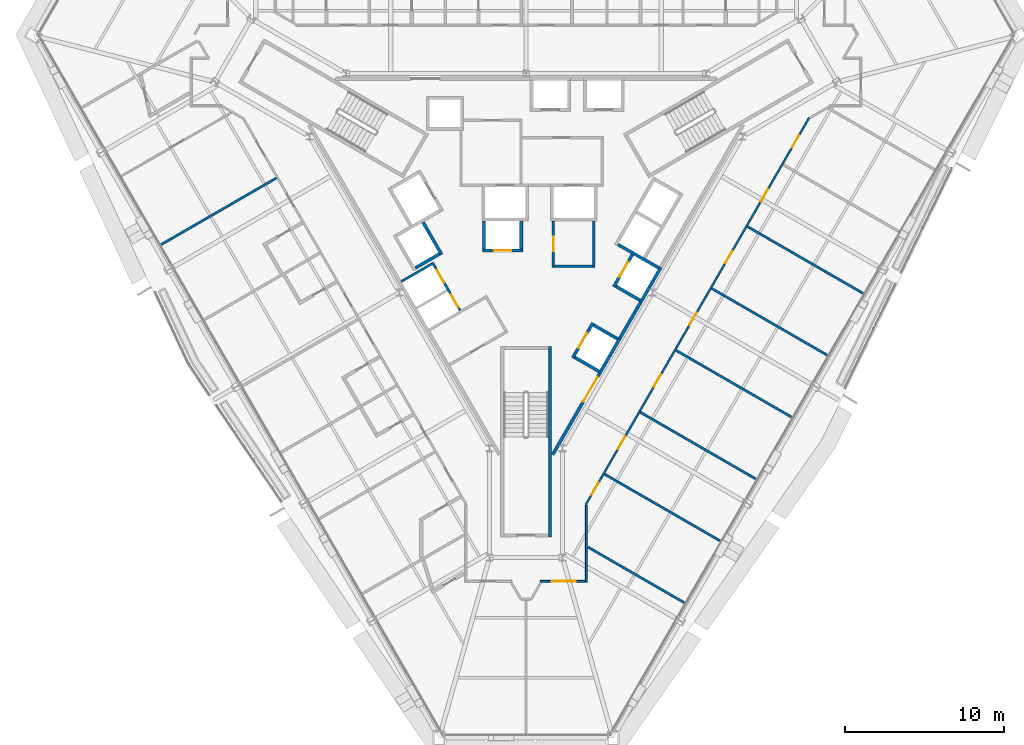
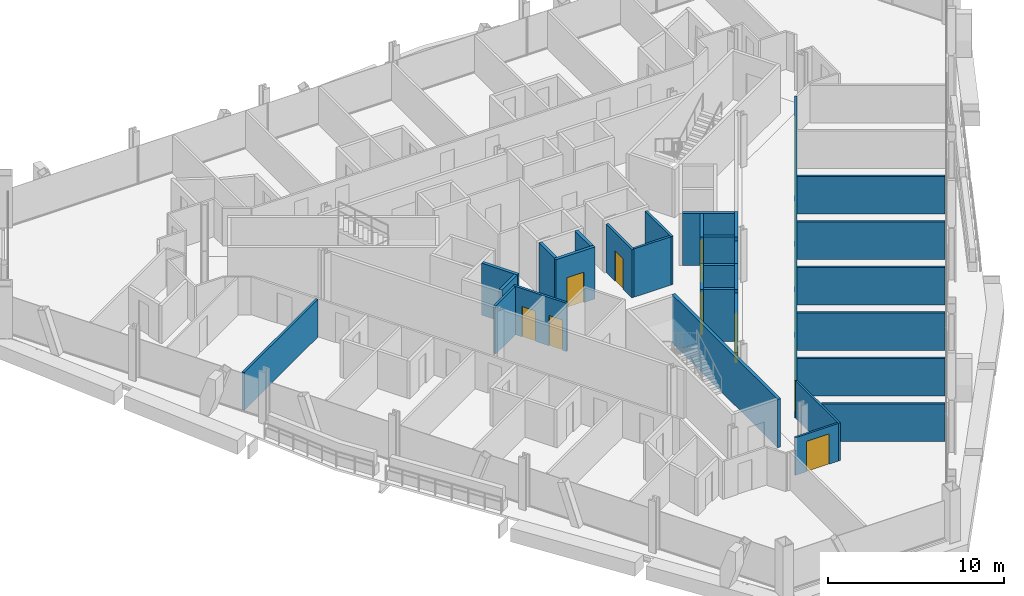
# One storey, part 12 of 17: 31 walls, 15 doors, 15 openings.
"""IFC4 building model written with IfcOpenShell, lengths in metres."""

import ifcopenshell
import ifcopenshell.guid

model = None  # the IFC model being written
_history = None  # IfcOwnerHistory: only IFC2X3 demands one
_inside = {}  # id of a spatial element -> (the spatial element, [elements in it])
_under = {}  # id of a project, library or spatial element -> (it, [spatial elements below it])
_declared = {}  # id of a project -> (the project, [libraries it declares])
_typed = {}  # id of a type object -> (the type object, [elements of that type])
_made_of = {}  # id of a material, layer set ... -> (it, [elements and type objects made of it])


def new_model(schema):
    """Start an empty IFC model of exactly this schema.

    Asked for "IFC4X3", IfcOpenShell would pick the latest addendum, in which some entities
    have other attributes; the version numbers below select the first issue.
    IFC2X3 requires an IfcOwnerHistory on every rooted entity: one is made here for all.
    """
    global model, _history
    if schema == "IFC4X3":
        model = ifcopenshell.file(schema_version=(4, 3, 0, 0))
    else:
        model = ifcopenshell.file(schema=schema)
    _inside.clear()
    _under.clear()
    _declared.clear()
    _typed.clear()
    _made_of.clear()
    _history = None
    if model.schema == "IFC2X3":
        org = make("IfcOrganization", Name="unknown")
        user = make(
            "IfcPersonAndOrganization",
            ThePerson=make("IfcPerson", FamilyName="unknown"),
            TheOrganization=org,
        )
        app = make(
            "IfcApplication",
            ApplicationDeveloper=org,
            Version="unknown",
            ApplicationFullName="unknown",
            ApplicationIdentifier="unknown",
        )
        _history = make(
            "IfcOwnerHistory",
            OwningUser=user,
            OwningApplication=app,
            ChangeAction="ADDED",
            CreationDate=0,
        )
    return model


def make(cls, **values):
    """One entity of the class cls with the attributes given. An attribute that is None is left unset."""
    return model.create_entity(
        cls, **{name: value for name, value in values.items() if value is not None}
    )


def rooted(cls, **values):
    """An entity with a GlobalId (a new one), such as an element, a storey or a relation."""
    return make(cls, GlobalId=ifcopenshell.guid.new(), OwnerHistory=_history, **values)


def si_unit(unit_type, name, prefix=None):
    """IfcSIUnit, for example si_unit("LENGTHUNIT", "METRE", prefix="MILLI")."""
    return make("IfcSIUnit", UnitType=unit_type, Prefix=prefix, Name=name)


def assignment(units):
    """IfcUnitAssignment: the units of a project."""
    return None if units is None else make("IfcUnitAssignment", Units=units)


def point(xyz):
    """IfcCartesianPoint."""
    return None if xyz is None else make("IfcCartesianPoint", Coordinates=xyz)


def direction(xyz):
    """IfcDirection."""
    return None if xyz is None else make("IfcDirection", DirectionRatios=xyz)


def frame(location, z_axis=None, x_axis=None):
    """IfcAxis2Placement3D, a coordinate frame: its origin and axes. An axis left out is left unset."""
    return make(
        "IfcAxis2Placement3D",
        Location=point(location),
        Axis=direction(z_axis),
        RefDirection=direction(x_axis),
    )


def frame_2d(location, x_axis=None):
    """IfcAxis2Placement2D, a coordinate frame in the plane: its origin and x axis."""
    return make(
        "IfcAxis2Placement2D", Location=point(location), RefDirection=direction(x_axis)
    )


def origin():
    """The frame at (0, 0, 0) with its axes left unset."""
    return frame((0.0, 0.0, 0.0))


def place(relative_to, where):
    """IfcLocalPlacement: puts the frame where relative to a parent placement (None: the world)."""
    return make(
        "IfcLocalPlacement", PlacementRelTo=relative_to, RelativePlacement=where
    )


def context(
    kind, dimensions, precision=None, world=None, true_north=None, identifier=None
):
    """IfcGeometricRepresentationContext, for example the 3D "Model" context."""
    return make(
        "IfcGeometricRepresentationContext",
        ContextIdentifier=identifier,
        ContextType=kind,
        CoordinateSpaceDimension=dimensions,
        Precision=precision,
        WorldCoordinateSystem=world,
        TrueNorth=true_north,
    )


def subcontext(parent, identifier, kind, view, scale=None):
    """IfcGeometricRepresentationSubContext, for example "Body" below "Model"."""
    return make(
        "IfcGeometricRepresentationSubContext",
        ContextIdentifier=identifier,
        ContextType=kind,
        ParentContext=parent,
        TargetScale=scale,
        TargetView=view,
    )


def project(units=None, contexts=None):
    """IfcProject with its units and contexts."""
    return rooted(
        "IfcProject",
        Name="project",
        RepresentationContexts=contexts,
        UnitsInContext=assignment(units),
    )


def spatial(cls, under=None, at=None, **own):
    """A site, building, storey or space (cls), placed at a placement, below another one or the project."""
    s = rooted(cls, ObjectPlacement=at, **own)
    if under is not None:
        _under.setdefault(under.id(), (under, []))[1].append(s)
    return s


def profile(cls, at=None, kind="AREA", **sizes):
    """A parametric profile (cls). Its sizes go by their IFC names, for example OverallWidth=200.0."""
    return make(cls, ProfileType=kind, Position=at, **sizes)


def rectangle(**sizes):
    """IfcRectangleProfileDef."""
    return profile("IfcRectangleProfileDef", **sizes)


def extrude(swept, where, along, depth):
    """IfcExtrudedAreaSolid: the profile swept, set in the frame where, extruded along a direction by depth."""
    return make(
        "IfcExtrudedAreaSolid",
        SweptArea=swept,
        Position=where,
        ExtrudedDirection=direction(along),
        Depth=depth,
    )


def shape(context_of_items, identifier, shape_type, items):
    """IfcShapeRepresentation: the items that make up one representation, for example the "Body"."""
    return make(
        "IfcShapeRepresentation",
        ContextOfItems=context_of_items,
        RepresentationIdentifier=identifier,
        RepresentationType=shape_type,
        Items=items,
    )


def material(Name=None, Category=None):
    """IfcMaterial."""
    return make("IfcMaterial", Name=Name, Category=Category)


def layer(
    of_material, thickness, ventilated=None, Name=None, Category=None, Priority=None
):
    """IfcMaterialLayer: one layer of a wall or slab, of a material (None: an air gap)."""
    return make(
        "IfcMaterialLayer",
        Material=of_material,
        LayerThickness=thickness,
        IsVentilated=ventilated,
        Name=Name,
        Category=Category,
        Priority=Priority,
    )


def layer_set(layers, Name=None):
    """IfcMaterialLayerSet."""
    return make("IfcMaterialLayerSet", MaterialLayers=layers, LayerSetName=Name)


def made_of(thing, what):
    """Note that an element or type object is made of a material, layer set ...; save() writes the relation."""
    if what is not None:
        _made_of.setdefault(what.id(), (what, []))[1].append(thing)
    return thing


def type_object(cls, material=None, **own):
    """A type object (cls), such as IfcWallType, which elements share."""
    return made_of(rooted(cls, **own), material)


def element(
    cls,
    number,
    at=None,
    inside=None,
    cuts=None,
    type_object=None,
    material=None,
    context=None,
    identifier="Body",
    shape_type=None,
    held_by="IfcProductDefinitionShape",
    body=None,
    shapes=None,
    **own,
):
    """One element of the class cls, such as IfcWall. Its Tag is "e" and its number.

    at: its placement. inside: the storey or other place that contains it. cuts: it is an
    opening in that element (IfcRelVoidsElement). A single representation is given by context,
    identifier, shape_type and body (its items); several are given by shapes. held_by: the class
    of the entity that holds the representations. save() writes the other relations.
    """
    e = rooted(cls, Tag="e%d" % number, ObjectPlacement=at, **own)
    if body is not None:
        shapes = [shape(context, identifier, shape_type, body)]
    if shapes is not None:
        e.Representation = make(held_by, Representations=shapes)
    if inside is not None:
        _inside.setdefault(inside.id(), (inside, []))[1].append(e)
    if cuts is not None:
        rooted(
            "IfcRelVoidsElement", RelatingBuildingElement=cuts, RelatedOpeningElement=e
        )
    if type_object is not None:
        _typed.setdefault(type_object.id(), (type_object, []))[1].append(e)
    return made_of(e, material)


def fill(opening, filler):
    """IfcRelFillsElement: the door or window that sits in an opening."""
    return rooted(
        "IfcRelFillsElement",
        RelatingOpeningElement=opening,
        RelatedBuildingElement=filler,
    )


def aggregate(whole, parts):
    """IfcRelAggregates: a whole, such as a stair, and the parts it consists of."""
    return rooted("IfcRelAggregates", RelatingObject=whole, RelatedObjects=parts)


def save(model, path):
    """Write the relations noted so far, then the file.

    IfcRelAggregates (storeys below a building ...), IfcRelContainedInSpatialStructure (elements
    in a storey), IfcRelDefinesByType, IfcRelAssociatesMaterial and IfcRelDeclares: one each for
    every whole, place, type object, material and project.
    """
    for whole, parts in _under.values():
        aggregate(whole, parts)
    for where, things in _inside.values():
        rooted(
            "IfcRelContainedInSpatialStructure",
            RelatedElements=things,
            RelatingStructure=where,
        )
    for kind, things in _typed.values():
        rooted("IfcRelDefinesByType", RelatedObjects=things, RelatingType=kind)
    for what, things in _made_of.values():
        rooted("IfcRelAssociatesMaterial", RelatedObjects=things, RelatingMaterial=what)
    for by, libraries in _declared.values():
        rooted("IfcRelDeclares", RelatingContext=by, RelatedDefinitions=libraries)
    model.write(path)


model = new_model("IFC4")

# Units and contexts
model_context = context("Model", 3, precision=1e-05, world=origin(), true_north=direction((0.0, 1.0)))
body_context = subcontext(model_context, "Body", "Model", "MODEL_VIEW")
ifc_project = project(units=[si_unit("LENGTHUNIT", "METRE"), si_unit("AREAUNIT", "SQUARE_METRE"), si_unit("VOLUMEUNIT", "CUBIC_METRE"), si_unit("PLANEANGLEUNIT", "RADIAN"), si_unit("MASSUNIT", "GRAM", prefix="KILO")], contexts=[model_context])

# Site, building, storey
site_placement = place(None, origin())
site = spatial("IfcSite", under=ifc_project, at=site_placement, CompositionType="ELEMENT")
building_placement = place(site_placement, origin())
building = spatial("IfcBuilding", under=site, at=building_placement, Name="Verrane Prism Tower", CompositionType="ELEMENT")
storey_placement = place(building_placement, frame((0.0, 0.0, 51.199951171875)))
storey = spatial("IfcBuildingStorey", under=building, at=storey_placement, Name="L10", CompositionType="ELEMENT", Elevation=51.199951171875)

# Wall, opening, door
ifc_material_1 = material(Name="Gypsum board partition", Category="other")
ifc_layer_1 = layer(ifc_material_1, 0.199951171875)
ifc_layer_set_1 = layer_set([ifc_layer_1], Name="CW-200 core boundary wall 2 h")
wall_type_1 = type_object("IfcWallType", Name="CW-200 core boundary wall 2 h", PredefinedType="PARTITIONING", material=ifc_layer_set_1)
wall_1_placement = place(storey_placement, frame((1.677490234375, -14.814697265625, 0.0), z_axis=(0.0, 0.0, 1.0), x_axis=(0.49999445743, 0.866028603765, 0.0)))
wall_1 = element("IfcWall", 1, at=wall_1_placement, inside=storey, type_object=wall_type_1, Name="Core boundary wall CW3-003", PredefinedType="PARTITIONING", context=body_context, shape_type="SweptSolid", body=[
    extrude(rectangle(XDim=5.90478515625, YDim=0.199951171875, at=frame_2d((2.952392578125, 0.0))), origin(), (0.0, 0.0, 1.0), 3.35009765625),
])
opening_1_placement = place(wall_1_placement, frame((3.85498046875, 0.0, 0.0)))
opening_1 = element("IfcOpeningElement", 2, at=opening_1_placement, cuts=wall_1, Name="Opening D09517", PredefinedType="OPENING", context=body_context, shape_type="SweptSolid", body=[
    extrude(rectangle(XDim=1.800048828125, YDim=2.10009765625, at=frame_2d((0.89990234375, 1.050048828125))), frame((0.0, 0.10986328125, 0.0), z_axis=(0.0, -1.0, 0.0), x_axis=(1.0, 0.0, 0.0)), (0.0, 0.0, 1.0), 0.219970703125),
])
ifc_material_2 = material(Name="Timber veneered door leaf", Category="wood")
door_type_1 = type_object("IfcDoorType", Name="DR-1800x2100 FD60 double leaf lift lobby", OperationType="NOTDEFINED", PredefinedType="DOOR", material=ifc_material_2)
door_1_placement = place(opening_1_placement, origin())
door_1 = element("IfcDoor", 3, at=door_1_placement, inside=storey, type_object=door_type_1, Name="Lift lobby door D09517", OperationType="DOUBLE_DOOR_SINGLE_SWING", OverallHeight=2.10009765625, OverallWidth=1.800048828125, PredefinedType="DOOR", context=body_context, shape_type="SweptSolid", body=[
    extrude(rectangle(XDim=1.800048828125, YDim=2.10009765625, at=frame_2d((0.89990234375, 1.050048828125))), frame((0.0, 0.02490234375, 0.0), z_axis=(0.0, -1.0, 0.0), x_axis=(1.0, 0.0, 0.0)), (0.0, 0.0, 1.0), 0.050048828125),
])
fill(opening_1, door_1)

# Walls
wall_2_placement = place(storey_placement, frame((5.906005859375, -7.489990234375, 0.0), z_axis=(0.0, 0.0, 1.0), x_axis=(0.500252727967, 0.865879442048, 0.0)))
element("IfcWall", 4, at=wall_2_placement, inside=storey, type_object=wall_type_1, Name="Core boundary wall CW3-005", PredefinedType="PARTITIONING", context=body_context, shape_type="SweptSolid", body=[
    extrude(rectangle(XDim=2.616943359375, YDim=0.199951171875, at=frame_2d((1.30859375, 0.0))), origin(), (0.0, 0.0, 1.0), 3.35009765625),
])
ifc_material_3 = material(Name="Concrete C40/50", Category="concrete")
ifc_layer_2 = layer(ifc_material_3, 0.199951171875)
ifc_layer_set_2 = layer_set([ifc_layer_2], Name="CW-200 stair core wall concrete C40/50 3 h")
wall_type_2 = type_object("IfcWallType", Name="CW-200 stair core wall concrete C40/50 3 h", PredefinedType="PARTITIONING", material=ifc_layer_set_2)
wall_3_placement = place(storey_placement, frame((1.5, -8.0, 0.0), z_axis=(0.0, 0.0, 1.0), x_axis=(0.0, -1.0, 0.0)))
element("IfcWall", 5, at=wall_3_placement, inside=storey, type_object=wall_type_2, Name="Stair 3 enclosure wall", PredefinedType="PARTITIONING", context=body_context, shape_type="SweptSolid", body=[
    extrude(rectangle(XDim=12.0, YDim=0.199951171875, at=frame_2d((6.0, 0.0))), origin(), (0.0, 0.0, 1.0), 3.35009765625),
])

# Wall, opening, door
ifc_material_4 = material(Name="Gypsum board shaft wall assembly", Category="other")
ifc_layer_3 = layer(ifc_material_4, 0.199951171875)
ifc_layer_set_3 = layer_set([ifc_layer_3], Name="HW-200 lift shaft wall 2 h")
wall_type_3 = type_object("IfcWallType", Name="HW-200 lift shaft wall 2 h", PredefinedType="PARTITIONING", material=ifc_layer_set_3)
wall_4_placement = place(storey_placement, frame((-2.7548828125, -1.949951171875, 0.0), z_axis=(0.0, 0.0, 1.0), x_axis=(1.0, 0.0, 0.0)))
wall_4 = element("IfcWall", 6, at=wall_4_placement, inside=storey, type_object=wall_type_3, Name="Lift shaft wall", PredefinedType="PARTITIONING", context=body_context, shape_type="SweptSolid", body=[
    extrude(rectangle(XDim=2.5498046875, YDim=0.199951171875, at=frame_2d((1.27490234375, 0.0))), origin(), (0.0, 0.0, 1.0), 3.60009765625),
])
opening_2_placement = place(wall_4_placement, frame((0.72509765625, 0.0, 0.0)))
opening_2 = element("IfcOpeningElement", 7, at=opening_2_placement, cuts=wall_4, Name="Opening D09504", PredefinedType="OPENING", context=body_context, shape_type="SweptSolid", body=[
    extrude(rectangle(XDim=1.10009765625, YDim=2.10009765625, at=frame_2d((0.550048828125, 1.050048828125))), frame((0.0, 0.10986328125, 0.0), z_axis=(0.0, -1.0, 0.0), x_axis=(1.0, 0.0, 0.0)), (0.0, 0.0, 1.0), 0.219970703125),
])
ifc_material_5 = material(Name="Stainless steel sliding landing door", Category="steel")
door_type_2 = type_object("IfcDoorType", Name="LD-1100x2100 lift landing door FD90 sliding", OperationType="NOTDEFINED", PredefinedType="DOOR", material=ifc_material_5)
door_2_placement = place(opening_2_placement, origin())
door_2 = element("IfcDoor", 8, at=door_2_placement, inside=storey, type_object=door_type_2, Name="Bank A lift 2 landing door", OperationType="SLIDING_TO_RIGHT", OverallHeight=2.10009765625, OverallWidth=1.10009765625, PredefinedType="DOOR", context=body_context, shape_type="SweptSolid", body=[
    extrude(rectangle(XDim=1.10009765625, YDim=2.10009765625, at=frame_2d((0.550048828125, 1.050048828125))), frame((0.0, 0.02490234375, 0.0), z_axis=(0.0, -1.0, 0.0), x_axis=(1.0, 0.0, 0.0)), (0.0, 0.0, 1.0), 0.050048828125),
])
fill(opening_2, door_2)

# Walls
wall_5_placement = place(storey_placement, frame((-6.9697265625, -3.048095703125, 0.0), z_axis=(0.0, 0.0, 1.0), x_axis=(0.866036909293, 0.499980071345, 0.0)))
element("IfcWall", 9, at=wall_5_placement, inside=storey, type_object=wall_type_3, Name="Lift shaft wall", PredefinedType="PARTITIONING", context=body_context, shape_type="SweptSolid", body=[
    extrude(rectangle(XDim=1.75, YDim=0.199951171875, at=frame_2d((0.875, 0.0))), origin(), (0.0, 0.0, 1.0), 3.60009765625),
])
wall_6_placement = place(storey_placement, frame((4.63037109375, -9.69970703125, 0.0), z_axis=(0.0, 0.0, 1.0), x_axis=(0.500062241894, 0.865989465428, 0.0)))
element("IfcWall", 10, at=wall_6_placement, inside=storey, type_object=wall_type_3, Name="Lift shaft wall", PredefinedType="PARTITIONING", context=body_context, shape_type="SweptSolid", body=[
    extrude(rectangle(XDim=2.550048828125, YDim=0.199951171875, at=frame_2d((1.27490234375, 0.0))), origin(), (0.0, 0.0, 1.0), 3.60009765625),
])
wall_7_placement = place(storey_placement, frame((7.215576171875, -5.222412109375, 0.0), z_axis=(0.0, 0.0, 1.0), x_axis=(0.499990435942, 0.866030925526, 0.0)))
element("IfcWall", 11, at=wall_7_placement, inside=storey, type_object=wall_type_3, Name="Lift shaft wall", PredefinedType="PARTITIONING", context=body_context, shape_type="SweptSolid", body=[
    extrude(rectangle(XDim=2.5498046875, YDim=0.199951171875, at=frame_2d((1.27490234375, 0.0))), origin(), (0.0, 0.0, 1.0), 3.60009765625),
])

# Wall, opening, door
wall_8_placement = place(storey_placement, frame((2.941650390625, -8.724853515625, 0.0), z_axis=(0.0, 0.0, 1.0), x_axis=(0.500020783669, 0.866013403995, 0.0)))
wall_8 = element("IfcWall", 12, at=wall_8_placement, inside=storey, type_object=wall_type_3, Name="Lift shaft wall", PredefinedType="PARTITIONING", context=body_context, shape_type="SweptSolid", body=[
    extrude(rectangle(XDim=2.55029296875, YDim=0.199951171875, at=frame_2d((1.275146484375, 0.0))), origin(), (0.0, 0.0, 1.0), 3.60009765625),
])
opening_3_placement = place(wall_8_placement, frame((0.72509765625, 0.0, 0.0)))
opening_3 = element("IfcOpeningElement", 13, at=opening_3_placement, cuts=wall_8, Name="Opening D09506", PredefinedType="OPENING", context=body_context, shape_type="SweptSolid", body=[
    extrude(rectangle(XDim=1.10009765625, YDim=2.10009765625, at=frame_2d((0.550048828125, 1.050048828125))), frame((0.0, 0.10986328125, 0.0), z_axis=(0.0, -1.0, 0.0), x_axis=(1.0, 0.0, 0.0)), (0.0, 0.0, 1.0), 0.219970703125),
])
door_3_placement = place(opening_3_placement, origin())
door_3 = element("IfcDoor", 14, at=door_3_placement, inside=storey, type_object=door_type_2, Name="Bank A lift 4 landing door", OperationType="SLIDING_TO_RIGHT", OverallHeight=2.10009765625, OverallWidth=1.10009765625, PredefinedType="DOOR", context=body_context, shape_type="SweptSolid", body=[
    extrude(rectangle(XDim=1.10009765625, YDim=2.10009765625, at=frame_2d((0.550048828125, 1.050048828125))), frame((0.0, 0.02490234375, 0.0), z_axis=(0.0, -1.0, 0.0), x_axis=(1.0, 0.0, 0.0)), (0.0, 0.0, 1.0), 0.050048828125),
])
fill(opening_3, door_3)

wall_9_placement = place(storey_placement, frame((5.52685546875, -4.247314453125, 0.0), z_axis=(0.0, 0.0, 1.0), x_axis=(0.499938297808, 0.866061024631, 0.0)))
wall_9 = element("IfcWall", 15, at=wall_9_placement, inside=storey, type_object=wall_type_3, Name="Lift shaft wall", PredefinedType="PARTITIONING", context=body_context, shape_type="SweptSolid", body=[
    extrude(rectangle(XDim=2.349853515625, YDim=0.199951171875, at=frame_2d((1.1748046875, 0.0))), origin(), (0.0, 0.0, 1.0), 3.60009765625),
])
opening_4_placement = place(wall_9_placement, frame((0.72509765625, 0.0, 0.0)))
opening_4 = element("IfcOpeningElement", 16, at=opening_4_placement, cuts=wall_9, Name="Opening D09507", PredefinedType="OPENING", context=body_context, shape_type="SweptSolid", body=[
    extrude(rectangle(XDim=1.10009765625, YDim=2.10009765625, at=frame_2d((0.550048828125, 1.050048828125))), frame((0.0, 0.10986328125, 0.0), z_axis=(0.0, -1.0, 0.0), x_axis=(1.0, 0.0, 0.0)), (0.0, 0.0, 1.0), 0.219970703125),
])
door_4_placement = place(opening_4_placement, origin())
door_4 = element("IfcDoor", 17, at=door_4_placement, inside=storey, type_object=door_type_2, Name="Bank A lift 5 landing door", OperationType="SLIDING_TO_LEFT", OverallHeight=2.10009765625, OverallWidth=1.10009765625, PredefinedType="DOOR", context=body_context, shape_type="SweptSolid", body=[
    extrude(rectangle(XDim=1.10009765625, YDim=2.10009765625, at=frame_2d((0.550048828125, 1.050048828125))), frame((0.0, 0.02490234375, 0.0), z_axis=(0.0, -1.0, 0.0), x_axis=(1.0, 0.0, 0.0)), (0.0, 0.0, 1.0), 0.050048828125),
])
fill(opening_4, door_4)

# Walls
for number, where, z_axis, x_axis, name in (
    (18, (-0.304931640625, -1.85009765625, 0.0), (0.0, 0.0, 1.0), (0.0, 1.0, 0.0), "Lift shaft wall"),
    (19, (-2.655029296875, -1.85009765625, 0.0), (0.0, 0.0, 1.0), (0.0, 1.0, 0.0), "Lift shaft wall"),
):
    element("IfcWall", number, at=place(storey_placement, frame(where, z_axis=z_axis, x_axis=x_axis)), inside=storey, type_object=wall_type_3, Name=name, PredefinedType="PARTITIONING", context=body_context, shape_type="SweptSolid", body=[
        extrude(rectangle(XDim=1.75, YDim=0.199951171875, at=frame_2d((0.875, 0.0))), origin(), (0.0, 0.0, 1.0), 3.60009765625),
    ])
wall_10_placement = place(storey_placement, frame((-5.317626953125, -2.209716796875, 0.0), z_axis=(0.0, 0.0, 1.0), x_axis=(-0.499938297808, 0.866061024631, 0.0)))
element("IfcWall", 20, at=wall_10_placement, inside=storey, type_object=wall_type_3, Name="Lift shaft wall", PredefinedType="PARTITIONING", context=body_context, shape_type="SweptSolid", body=[
    extrude(rectangle(XDim=2.349853515625, YDim=0.199951171875, at=frame_2d((1.1748046875, 0.0))), origin(), (0.0, 0.0, 1.0), 3.60009765625),
])
wall_11_placement = place(storey_placement, frame((8.35400390625, -3.050537109375, 0.0), z_axis=(0.0, 0.0, 1.0), x_axis=(-0.866060182126, 0.499939757307, 0.0)))
element("IfcWall", 21, at=wall_11_placement, inside=storey, type_object=wall_type_3, Name="Lift shaft wall", PredefinedType="PARTITIONING", context=body_context, shape_type="SweptSolid", body=[
    extrude(rectangle(XDim=2.949951171875, YDim=0.199951171875, at=frame_2d((1.47509765625, 0.0))), origin(), (0.0, 0.0, 1.0), 3.60009765625),
])
wall_12_placement = place(storey_placement, frame((7.178955078125, -5.085693359375, 0.0), z_axis=(0.0, 0.0, 1.0), x_axis=(-0.866036909293, 0.499980071345, 0.0)))
element("IfcWall", 22, at=wall_12_placement, inside=storey, type_object=wall_type_3, Name="Lift shaft wall", PredefinedType="PARTITIONING", context=body_context, shape_type="SweptSolid", body=[
    extrude(rectangle(XDim=1.75, YDim=0.199951171875, at=frame_2d((0.875, 0.0))), origin(), (0.0, 0.0, 1.0), 3.60009765625),
])
wall_13_placement = place(storey_placement, frame((5.768798828125, -7.528076171875, 0.0), z_axis=(0.0, 0.0, 1.0), x_axis=(-0.866002029911, 0.500040482552, 0.0)))
element("IfcWall", 23, at=wall_13_placement, inside=storey, type_object=wall_type_3, Name="Lift shaft wall", PredefinedType="PARTITIONING", context=body_context, shape_type="SweptSolid", body=[
    extrude(rectangle(XDim=1.749755859375, YDim=0.199951171875, at=frame_2d((0.875, 0.0))), origin(), (0.0, 0.0, 1.0), 3.60009765625),
])
wall_14_placement = place(storey_placement, frame((4.593994140625, -9.563232421875, 0.0), z_axis=(0.0, 0.0, 1.0), x_axis=(-0.866036909293, 0.499980071345, 0.0)))
element("IfcWall", 24, at=wall_14_placement, inside=storey, type_object=wall_type_3, Name="Lift shaft wall", PredefinedType="PARTITIONING", context=body_context, shape_type="SweptSolid", body=[
    extrude(rectangle(XDim=1.75, YDim=0.199951171875, at=frame_2d((0.875, 0.0))), origin(), (0.0, 0.0, 1.0), 3.60009765625),
])

# Wall, opening, door
ifc_material_6 = material(Name="Gypsum board partition", Category="other")
ifc_layer_4 = layer(ifc_material_6, 0.125)
ifc_layer_set_4 = layer_set([ifc_layer_4], Name="PW-125 corridor wall 1 h")
wall_type_4 = type_object("IfcWallType", Name="PW-125 corridor wall 1 h", PredefinedType="PARTITIONING", material=ifc_layer_set_4)
wall_15_placement = place(storey_placement, frame((3.73193359375, -22.797119140625, 0.0), z_axis=(0.0, 0.0, 1.0), x_axis=(-1.0, 0.0, 0.0)))
wall_15 = element("IfcWall", 25, at=wall_15_placement, inside=storey, type_object=wall_type_4, Name="Corridor wall 054", PredefinedType="PARTITIONING", context=body_context, shape_type="SweptSolid", body=[
    extrude(rectangle(XDim=2.821533203125, YDim=0.125, at=frame_2d((1.41064453125, 0.0))), origin(), (0.0, 0.0, 1.0), 2.613037109375),
])
opening_5_placement = place(wall_15_placement, frame((0.60888671875, 0.0, 0.0)))
opening_5 = element("IfcOpeningElement", 26, at=opening_5_placement, cuts=wall_15, Name="Opening D09001", PredefinedType="OPENING", context=body_context, shape_type="SweptSolid", body=[
    extrude(rectangle(XDim=1.5, YDim=2.10009765625, at=frame_2d((0.75, 1.050048828125))), frame((0.0, 0.072509765625, 0.0), z_axis=(0.0, -1.0, 0.0), x_axis=(1.0, 0.0, 0.0)), (0.0, 0.0, 1.0), 0.14501953125),
])
ifc_material_7 = material(Name="Timber veneered door leaf", Category="wood")
door_type_3 = type_object("IfcDoorType", Name="DR-1500x2100 FD20 double leaf public", OperationType="NOTDEFINED", PredefinedType="DOOR", material=ifc_material_7)
door_5_placement = place(opening_5_placement, origin())
door_5 = element("IfcDoor", 27, at=door_5_placement, inside=storey, type_object=door_type_3, Name="Spa Reception door", OperationType="DOUBLE_DOOR_SINGLE_SWING", OverallHeight=2.10009765625, OverallWidth=1.5, PredefinedType="DOOR", context=body_context, shape_type="SweptSolid", body=[
    extrude(rectangle(XDim=1.5, YDim=2.10009765625, at=frame_2d((0.75, 1.050048828125))), frame((0.0, 0.02490234375, 0.0), z_axis=(0.0, -1.0, 0.0), x_axis=(1.0, 0.0, 0.0)), (0.0, 0.0, 1.0), 0.050048828125),
])
fill(opening_5, door_5)

# Wall
wall_16_placement = place(storey_placement, frame((3.797119140625, -22.859619140625, 0.0), z_axis=(0.0, 0.0, 1.0), x_axis=(0.0, 1.0, 0.0)))
element("IfcWall", 28, at=wall_16_placement, inside=storey, type_object=wall_type_4, Name="Corridor wall 057", PredefinedType="PARTITIONING", context=body_context, shape_type="SweptSolid", body=[
    extrude(rectangle(XDim=4.86962890625, YDim=0.125, at=frame_2d((2.434814453125, 0.0))), origin(), (0.0, 0.0, 1.0), 2.613037109375),
])

# Wall, openings, doors
wall_17_placement = place(storey_placement, frame((17.833251953125, 6.406005859375, 0.0), z_axis=(0.0, 0.0, 1.0), x_axis=(-0.500002884005, -0.866023738697, 0.0)))
wall_17 = element("IfcWall", 29, at=wall_17_placement, inside=storey, type_object=wall_type_4, Name="Corridor wall 059", PredefinedType="PARTITIONING", context=body_context, shape_type="SweptSolid", body=[
    extrude(rectangle(XDim=28.134521484375, YDim=0.125, at=frame_2d((14.0673828125, 0.0))), origin(), (0.0, 0.0, 1.0), 2.613037109375),
])
opening_6_placement = place(wall_17_placement, frame((26.522216796875, 0.0, 0.0)))
opening_6 = element("IfcOpeningElement", 30, at=opening_6_placement, cuts=wall_17, Name="Opening D09002", PredefinedType="OPENING", context=body_context, shape_type="SweptSolid", body=[
    extrude(rectangle(XDim=0.89990234375, YDim=2.10009765625, at=frame_2d((0.449951171875, 1.050048828125))), frame((0.0, 0.072509765625, 0.0), z_axis=(0.0, -1.0, 0.0), x_axis=(1.0, 0.0, 0.0)), (0.0, 0.0, 1.0), 0.14501953125),
])
opening_7_placement = place(wall_17_placement, frame((23.18408203125, 0.0, 0.0)))
opening_7 = element("IfcOpeningElement", 31, at=opening_7_placement, cuts=wall_17, Name="Opening D09003", PredefinedType="OPENING", context=body_context, shape_type="SweptSolid", body=[
    extrude(rectangle(XDim=0.89990234375, YDim=2.10009765625, at=frame_2d((0.449951171875, 1.050048828125))), frame((0.0, 0.072509765625, 0.0), z_axis=(0.0, -1.0, 0.0), x_axis=(1.0, 0.0, 0.0)), (0.0, 0.0, 1.0), 0.14501953125),
])
opening_8_placement = place(wall_17_placement, frame((18.68310546875, 0.0, 0.0)))
opening_8 = element("IfcOpeningElement", 32, at=opening_8_placement, cuts=wall_17, Name="Opening D09004", PredefinedType="OPENING", context=body_context, shape_type="SweptSolid", body=[
    extrude(rectangle(XDim=0.89990234375, YDim=2.10009765625, at=frame_2d((0.449951171875, 1.050048828125))), frame((0.0, 0.072509765625, 0.0), z_axis=(0.0, -1.0, 0.0), x_axis=(1.0, 0.0, 0.0)), (0.0, 0.0, 1.0), 0.14501953125),
])
opening_9_placement = place(wall_17_placement, frame((14.18212890625, 0.0, 0.0)))
opening_9 = element("IfcOpeningElement", 33, at=opening_9_placement, cuts=wall_17, Name="Opening D09005", PredefinedType="OPENING", context=body_context, shape_type="SweptSolid", body=[
    extrude(rectangle(XDim=0.89990234375, YDim=2.10009765625, at=frame_2d((0.449951171875, 1.050048828125))), frame((0.0, 0.072509765625, 0.0), z_axis=(0.0, -1.0, 0.0), x_axis=(1.0, 0.0, 0.0)), (0.0, 0.0, 1.0), 0.14501953125),
])
opening_10_placement = place(wall_17_placement, frame((9.68115234375, 0.0, 0.0)))
opening_10 = element("IfcOpeningElement", 34, at=opening_10_placement, cuts=wall_17, Name="Opening D09006", PredefinedType="OPENING", context=body_context, shape_type="SweptSolid", body=[
    extrude(rectangle(XDim=0.89990234375, YDim=2.10009765625, at=frame_2d((0.449951171875, 1.050048828125))), frame((0.0, 0.072509765625, 0.0), z_axis=(0.0, -1.0, 0.0), x_axis=(1.0, 0.0, 0.0)), (0.0, 0.0, 1.0), 0.14501953125),
])
opening_11_placement = place(wall_17_placement, frame((5.18017578125, 0.0, 0.0)))
opening_11 = element("IfcOpeningElement", 35, at=opening_11_placement, cuts=wall_17, Name="Opening D09007", PredefinedType="OPENING", context=body_context, shape_type="SweptSolid", body=[
    extrude(rectangle(XDim=0.89990234375, YDim=2.10009765625, at=frame_2d((0.449951171875, 1.050048828125))), frame((0.0, 0.072509765625, 0.0), z_axis=(0.0, -1.0, 0.0), x_axis=(1.0, 0.0, 0.0)), (0.0, 0.0, 1.0), 0.14501953125),
])
opening_12_placement = place(wall_17_placement, frame((1.278076171875, 0.0, 0.0)))
opening_12 = element("IfcOpeningElement", 36, at=opening_12_placement, cuts=wall_17, Name="Opening D09008", PredefinedType="OPENING", context=body_context, shape_type="SweptSolid", body=[
    extrude(rectangle(XDim=0.89990234375, YDim=2.10009765625, at=frame_2d((0.449951171875, 1.050048828125))), frame((0.0, 0.072509765625, 0.0), z_axis=(0.0, -1.0, 0.0), x_axis=(1.0, 0.0, 0.0)), (0.0, 0.0, 1.0), 0.14501953125),
])
ifc_material_8 = material(Name="Timber veneered door leaf", Category="wood")
door_type_4 = type_object("IfcDoorType", Name="DR-900x2100 single leaf unit", OperationType="NOTDEFINED", PredefinedType="DOOR", material=ifc_material_8)
door_6_placement = place(opening_6_placement, origin())
door_6 = element("IfcDoor", 37, at=door_6_placement, inside=storey, type_object=door_type_4, Name="Study door", OperationType="SINGLE_SWING_LEFT", OverallHeight=2.10009765625, OverallWidth=0.89990234375, PredefinedType="DOOR", context=body_context, shape_type="SweptSolid", body=[
    extrude(rectangle(XDim=0.89990234375, YDim=2.10009765625, at=frame_2d((0.449951171875, 1.050048828125))), frame((0.0, 0.02490234375, 0.0), z_axis=(0.0, -1.0, 0.0), x_axis=(1.0, 0.0, 0.0)), (0.0, 0.0, 1.0), 0.050048828125),
])
fill(opening_6, door_6)
door_7_placement = place(opening_7_placement, origin())
door_7 = element("IfcDoor", 38, at=door_7_placement, inside=storey, type_object=door_type_4, Name="Study door", OperationType="SINGLE_SWING_RIGHT", OverallHeight=2.10009765625, OverallWidth=0.89990234375, PredefinedType="DOOR", context=body_context, shape_type="SweptSolid", body=[
    extrude(rectangle(XDim=0.89990234375, YDim=2.10009765625, at=frame_2d((0.449951171875, 1.050048828125))), frame((0.0, 0.02490234375, 0.0), z_axis=(0.0, -1.0, 0.0), x_axis=(1.0, 0.0, 0.0)), (0.0, 0.0, 1.0), 0.050048828125),
])
fill(opening_7, door_7)
door_8_placement = place(opening_8_placement, origin())
door_8 = element("IfcDoor", 39, at=door_8_placement, inside=storey, type_object=door_type_4, Name="Study door", OperationType="SINGLE_SWING_LEFT", OverallHeight=2.10009765625, OverallWidth=0.89990234375, PredefinedType="DOOR", context=body_context, shape_type="SweptSolid", body=[
    extrude(rectangle(XDim=0.89990234375, YDim=2.10009765625, at=frame_2d((0.449951171875, 1.050048828125))), frame((0.0, 0.02490234375, 0.0), z_axis=(0.0, -1.0, 0.0), x_axis=(1.0, 0.0, 0.0)), (0.0, 0.0, 1.0), 0.050048828125),
])
fill(opening_8, door_8)
door_9_placement = place(opening_9_placement, origin())
door_9 = element("IfcDoor", 40, at=door_9_placement, inside=storey, type_object=door_type_4, Name="Study door", OperationType="SINGLE_SWING_RIGHT", OverallHeight=2.10009765625, OverallWidth=0.89990234375, PredefinedType="DOOR", context=body_context, shape_type="SweptSolid", body=[
    extrude(rectangle(XDim=0.89990234375, YDim=2.10009765625, at=frame_2d((0.449951171875, 1.050048828125))), frame((0.0, 0.02490234375, 0.0), z_axis=(0.0, -1.0, 0.0), x_axis=(1.0, 0.0, 0.0)), (0.0, 0.0, 1.0), 0.050048828125),
])
fill(opening_9, door_9)
door_10_placement = place(opening_10_placement, origin())
door_10 = element("IfcDoor", 41, at=door_10_placement, inside=storey, type_object=door_type_4, Name="Study door", OperationType="SINGLE_SWING_LEFT", OverallHeight=2.10009765625, OverallWidth=0.89990234375, PredefinedType="DOOR", context=body_context, shape_type="SweptSolid", body=[
    extrude(rectangle(XDim=0.89990234375, YDim=2.10009765625, at=frame_2d((0.449951171875, 1.050048828125))), frame((0.0, 0.02490234375, 0.0), z_axis=(0.0, -1.0, 0.0), x_axis=(1.0, 0.0, 0.0)), (0.0, 0.0, 1.0), 0.050048828125),
])
fill(opening_10, door_10)
door_11_placement = place(opening_11_placement, origin())
door_11 = element("IfcDoor", 42, at=door_11_placement, inside=storey, type_object=door_type_4, Name="Study door", OperationType="SINGLE_SWING_RIGHT", OverallHeight=2.10009765625, OverallWidth=0.89990234375, PredefinedType="DOOR", context=body_context, shape_type="SweptSolid", body=[
    extrude(rectangle(XDim=0.89990234375, YDim=2.10009765625, at=frame_2d((0.449951171875, 1.050048828125))), frame((0.0, 0.02490234375, 0.0), z_axis=(0.0, -1.0, 0.0), x_axis=(1.0, 0.0, 0.0)), (0.0, 0.0, 1.0), 0.050048828125),
])
fill(opening_11, door_11)
door_12_placement = place(opening_12_placement, origin())
door_12 = element("IfcDoor", 43, at=door_12_placement, inside=storey, type_object=door_type_4, Name="Study door", OperationType="SINGLE_SWING_LEFT", OverallHeight=2.10009765625, OverallWidth=0.89990234375, PredefinedType="DOOR", context=body_context, shape_type="SweptSolid", body=[
    extrude(rectangle(XDim=0.89990234375, YDim=2.10009765625, at=frame_2d((0.449951171875, 1.050048828125))), frame((0.0, 0.02490234375, 0.0), z_axis=(0.0, -1.0, 0.0), x_axis=(1.0, 0.0, 0.0)), (0.0, 0.0, 1.0), 0.050048828125),
])
fill(opening_12, door_12)

# Walls
ifc_material_9 = material(Name="Gypsum board partition", Category="other")
ifc_layer_5 = layer(ifc_material_9, 0.14990234375)
ifc_layer_set_5 = layer_set([ifc_layer_5], Name="PW-150 demising wall 1 h")
wall_type_5 = type_object("IfcWallType", Name="PW-150 demising wall 1 h", PredefinedType="PARTITIONING", material=ifc_layer_set_5)
wall_18_placement = place(storey_placement, frame((-22.983642578125, -1.580810546875, 0.0), z_axis=(0.0, 0.0, 1.0), x_axis=(0.866040157966, 0.499974444137, 0.0)))
element("IfcWall", 44, at=wall_18_placement, inside=storey, type_object=wall_type_5, Name="Demising wall 005", PredefinedType="PARTITIONING", context=body_context, shape_type="SweptSolid", body=[
    extrude(rectangle(XDim=8.38671875, YDim=0.14990234375, at=frame_2d((4.193359375, 0.0))), origin(), (0.0, 0.0, 1.0), 2.613037109375),
])
wall_19_placement = place(storey_placement, frame((3.89697265625, -20.634765625, 0.0), z_axis=(0.0, 0.0, 1.0), x_axis=(0.866031150847, -0.499990045664, 0.0)))
element("IfcWall", 45, at=wall_19_placement, inside=storey, type_object=wall_type_5, Name="Demising wall 058", PredefinedType="PARTITIONING", context=body_context, shape_type="SweptSolid", body=[
    extrude(rectangle(XDim=7.002685546875, YDim=0.14990234375, at=frame_2d((3.50146484375, 0.0))), origin(), (0.0, 0.0, 1.0), 2.613037109375),
])
wall_20_placement = place(storey_placement, frame((4.949462890625, -16.043701171875, 0.0), z_axis=(0.0, 0.0, 1.0), x_axis=(0.866040157966, -0.499974444137, 0.0)))
element("IfcWall", 46, at=wall_20_placement, inside=storey, type_object=wall_type_5, Name="Demising wall 060", PredefinedType="PARTITIONING", context=body_context, shape_type="SweptSolid", body=[
    extrude(rectangle(XDim=8.38671875, YDim=0.14990234375, at=frame_2d((4.193359375, 0.0))), origin(), (0.0, 0.0, 1.0), 2.613037109375),
])
wall_21_placement = place(storey_placement, frame((7.196044921875, -12.143310546875, 0.0), z_axis=(0.0, 0.0, 1.0), x_axis=(0.866010672798, -0.500025513949, 0.0)))
element("IfcWall", 47, at=wall_21_placement, inside=storey, type_object=wall_type_5, Name="Demising wall 063", PredefinedType="PARTITIONING", context=body_context, shape_type="SweptSolid", body=[
    extrude(rectangle(XDim=8.39111328125, YDim=0.14990234375, at=frame_2d((4.195556640625, 0.0))), origin(), (0.0, 0.0, 1.0), 2.613037109375),
])
wall_22_placement = place(storey_placement, frame((9.450439453125, -8.247802734375, 0.0), z_axis=(0.0, 0.0, 1.0), x_axis=(0.866040157966, -0.499974444137, 0.0)))
element("IfcWall", 48, at=wall_22_placement, inside=storey, type_object=wall_type_5, Name="Demising wall 065", PredefinedType="PARTITIONING", context=body_context, shape_type="SweptSolid", body=[
    extrude(rectangle(XDim=8.38671875, YDim=0.14990234375, at=frame_2d((4.193359375, 0.0))), origin(), (0.0, 0.0, 1.0), 2.613037109375),
])
wall_23_placement = place(storey_placement, frame((11.697021484375, -4.34716796875, 0.0), z_axis=(0.0, 0.0, 1.0), x_axis=(0.866005348532, -0.500034735108, 0.0)))
element("IfcWall", 49, at=wall_23_placement, inside=storey, type_object=wall_type_5, Name="Demising wall 067", PredefinedType="PARTITIONING", context=body_context, shape_type="SweptSolid", body=[
    extrude(rectangle(XDim=8.3916015625, YDim=0.14990234375, at=frame_2d((4.19580078125, 0.0))), origin(), (0.0, 0.0, 1.0), 2.613037109375),
])
wall_24_placement = place(storey_placement, frame((13.951416015625, -0.45166015625, 0.0), z_axis=(0.0, 0.0, 1.0), x_axis=(0.866027553047, -0.499996277349, 0.0)))
element("IfcWall", 50, at=wall_24_placement, inside=storey, type_object=wall_type_5, Name="Demising wall 070", PredefinedType="PARTITIONING", context=body_context, shape_type="SweptSolid", body=[
    extrude(rectangle(XDim=8.38671875, YDim=0.14990234375, at=frame_2d((4.193359375, 0.0))), origin(), (0.0, 0.0, 1.0), 2.613037109375),
])
ifc_material_10 = material(Name="Gypsum board partition", Category="other")
ifc_layer_6 = layer(ifc_material_10, 0.14990234375)
ifc_layer_set_6 = layer_set([ifc_layer_6], Name="RS-150 riser enclosure wall 1 h")
wall_type_6 = type_object("IfcWallType", Name="RS-150 riser enclosure wall 1 h", PredefinedType="PARTITIONING", material=ifc_layer_set_6)
wall_25_placement = place(storey_placement, frame((-7.8564453125, -3.912109375, 0.0), z_axis=(0.0, 0.0, 1.0), x_axis=(0.865971748, 0.500092923031, 0.0)))
element("IfcWall", 51, at=wall_25_placement, inside=storey, type_object=wall_type_6, Name="Riser wall RS3-001", PredefinedType="PARTITIONING", context=body_context, shape_type="SweptSolid", body=[
    extrude(rectangle(XDim=2.224609375, YDim=0.14990234375, at=frame_2d((1.1123046875, 0.0))), origin(), (0.0, 0.0, 1.0), 3.35009765625),
])

# Wall, openings, doors
wall_26_placement = place(storey_placement, frame((-4.152099609375, -5.728759765625, 0.0), z_axis=(0.0, 0.0, 1.0), x_axis=(-0.500024287448, 0.866011380966, 0.0)))
wall_26 = element("IfcWall", 52, at=wall_26_placement, inside=storey, type_object=wall_type_6, Name="Riser wall RS3-004", PredefinedType="PARTITIONING", context=body_context, shape_type="SweptSolid", body=[
    extrude(rectangle(XDim=3.500732421875, YDim=0.14990234375, at=frame_2d((1.75048828125, 0.0))), origin(), (0.0, 0.0, 1.0), 3.35009765625),
])
opening_13_placement = place(wall_26_placement, frame((2.025634765625, 0.0, 0.0)))
opening_13 = element("IfcOpeningElement", 53, at=opening_13_placement, cuts=wall_26, Name="Opening D09512", PredefinedType="OPENING", context=body_context, shape_type="SweptSolid", body=[
    extrude(rectangle(XDim=0.89990234375, YDim=2.10009765625, at=frame_2d((0.449951171875, 1.050048828125))), frame((0.0, 0.0849609375, 0.0), z_axis=(0.0, -1.0, 0.0), x_axis=(1.0, 0.0, 0.0)), (0.0, 0.0, 1.0), 0.169921875),
])
opening_14_placement = place(wall_26_placement, frame((0.247802734375, 0.0, 0.0)))
opening_14 = element("IfcOpeningElement", 54, at=opening_14_placement, cuts=wall_26, Name="Opening D09513", PredefinedType="OPENING", context=body_context, shape_type="SweptSolid", body=[
    extrude(rectangle(XDim=0.89990234375, YDim=2.10009765625, at=frame_2d((0.449951171875, 1.050048828125))), frame((0.0, 0.0849609375, 0.0), z_axis=(0.0, -1.0, 0.0), x_axis=(1.0, 0.0, 0.0)), (0.0, 0.0, 1.0), 0.169921875),
])
ifc_material_11 = material(Name="Timber veneered door leaf", Category="wood")
door_type_5 = type_object("IfcDoorType", Name="DR-900x2100 FD60 single leaf riser", OperationType="NOTDEFINED", PredefinedType="DOOR", material=ifc_material_11)
door_13_placement = place(opening_13_placement, origin())
door_13 = element("IfcDoor", 55, at=door_13_placement, inside=storey, type_object=door_type_5, Name="Riser door D09512", OperationType="SINGLE_SWING_RIGHT", OverallHeight=2.10009765625, OverallWidth=0.89990234375, PredefinedType="DOOR", context=body_context, shape_type="SweptSolid", body=[
    extrude(rectangle(XDim=0.89990234375, YDim=2.10009765625, at=frame_2d((0.449951171875, 1.050048828125))), frame((0.0, 0.02490234375, 0.0), z_axis=(0.0, -1.0, 0.0), x_axis=(1.0, 0.0, 0.0)), (0.0, 0.0, 1.0), 0.050048828125),
])
fill(opening_13, door_13)
door_14_placement = place(opening_14_placement, origin())
door_14 = element("IfcDoor", 56, at=door_14_placement, inside=storey, type_object=door_type_5, Name="Riser door D09513", OperationType="SINGLE_SWING_LEFT", OverallHeight=2.10009765625, OverallWidth=0.89990234375, PredefinedType="DOOR", context=body_context, shape_type="SweptSolid", body=[
    extrude(rectangle(XDim=0.89990234375, YDim=2.10009765625, at=frame_2d((0.449951171875, 1.050048828125))), frame((0.0, 0.02490234375, 0.0), z_axis=(0.0, -1.0, 0.0), x_axis=(1.0, 0.0, 0.0)), (0.0, 0.0, 1.0), 0.050048828125),
])
fill(opening_14, door_14)

# Wall, opening, door
wall_27_placement = place(storey_placement, frame((1.72509765625, -0.10205078125, 0.0), z_axis=(0.0, 0.0, 1.0), x_axis=(0.0, -1.0, 0.0)))
wall_27 = element("IfcWall", 57, at=wall_27_placement, inside=storey, type_object=wall_type_6, Name="Riser wall RS3-007", PredefinedType="PARTITIONING", context=body_context, shape_type="SweptSolid", body=[
    extrude(rectangle(XDim=2.9228515625, YDim=0.14990234375, at=frame_2d((1.46142578125, 0.0))), origin(), (0.0, 0.0, 1.0), 3.35009765625),
])
opening_15_placement = place(wall_27_placement, frame((0.998046875, 0.0, 0.0)))
opening_15 = element("IfcOpeningElement", 58, at=opening_15_placement, cuts=wall_27, Name="Opening D09518", PredefinedType="OPENING", context=body_context, shape_type="SweptSolid", body=[
    extrude(rectangle(XDim=0.89990234375, YDim=2.10009765625, at=frame_2d((0.449951171875, 1.050048828125))), frame((0.0, 0.0849609375, 0.0), z_axis=(0.0, -1.0, 0.0), x_axis=(1.0, 0.0, 0.0)), (0.0, 0.0, 1.0), 0.169921875),
])
ifc_material_12 = material(Name="Timber veneered door leaf", Category="wood")
door_type_6 = type_object("IfcDoorType", Name="DR-900x2100 FD20 single leaf store", OperationType="NOTDEFINED", PredefinedType="DOOR", material=ifc_material_12)
door_15_placement = place(opening_15_placement, origin())
door_15 = element("IfcDoor", 59, at=door_15_placement, inside=storey, type_object=door_type_6, Name="Room door D09518", OperationType="SINGLE_SWING_LEFT", OverallHeight=2.10009765625, OverallWidth=0.89990234375, PredefinedType="DOOR", context=body_context, shape_type="SweptSolid", body=[
    extrude(rectangle(XDim=0.89990234375, YDim=2.10009765625, at=frame_2d((0.449951171875, 1.050048828125))), frame((0.0, 0.02490234375, 0.0), z_axis=(0.0, -1.0, 0.0), x_axis=(1.0, 0.0, 0.0)), (0.0, 0.0, 1.0), 0.050048828125),
])
fill(opening_15, door_15)

# Walls
wall_28_placement = place(storey_placement, frame((1.800048828125, -2.949951171875, 0.0), z_axis=(0.0, 0.0, 1.0), x_axis=(1.0, 0.0, 0.0)))
element("IfcWall", 60, at=wall_28_placement, inside=storey, type_object=wall_type_6, Name="Riser wall RS3-008", PredefinedType="PARTITIONING", context=body_context, shape_type="SweptSolid", body=[
    extrude(rectangle(XDim=2.39990234375, YDim=0.14990234375, at=frame_2d((1.199951171875, 0.0))), origin(), (0.0, 0.0, 1.0), 3.35009765625),
])
wall_29_placement = place(storey_placement, frame((4.27490234375, -3.02490234375, 0.0), z_axis=(0.0, 0.0, 1.0), x_axis=(0.0, 1.0, 0.0)))
element("IfcWall", 61, at=wall_29_placement, inside=storey, type_object=wall_type_6, Name="Riser wall RS3-009", PredefinedType="PARTITIONING", context=body_context, shape_type="SweptSolid", body=[
    extrude(rectangle(XDim=2.9228515625, YDim=0.14990234375, at=frame_2d((1.46142578125, 0.0))), origin(), (0.0, 0.0, 1.0), 3.35009765625),
])

save(model, "model.ifc")
